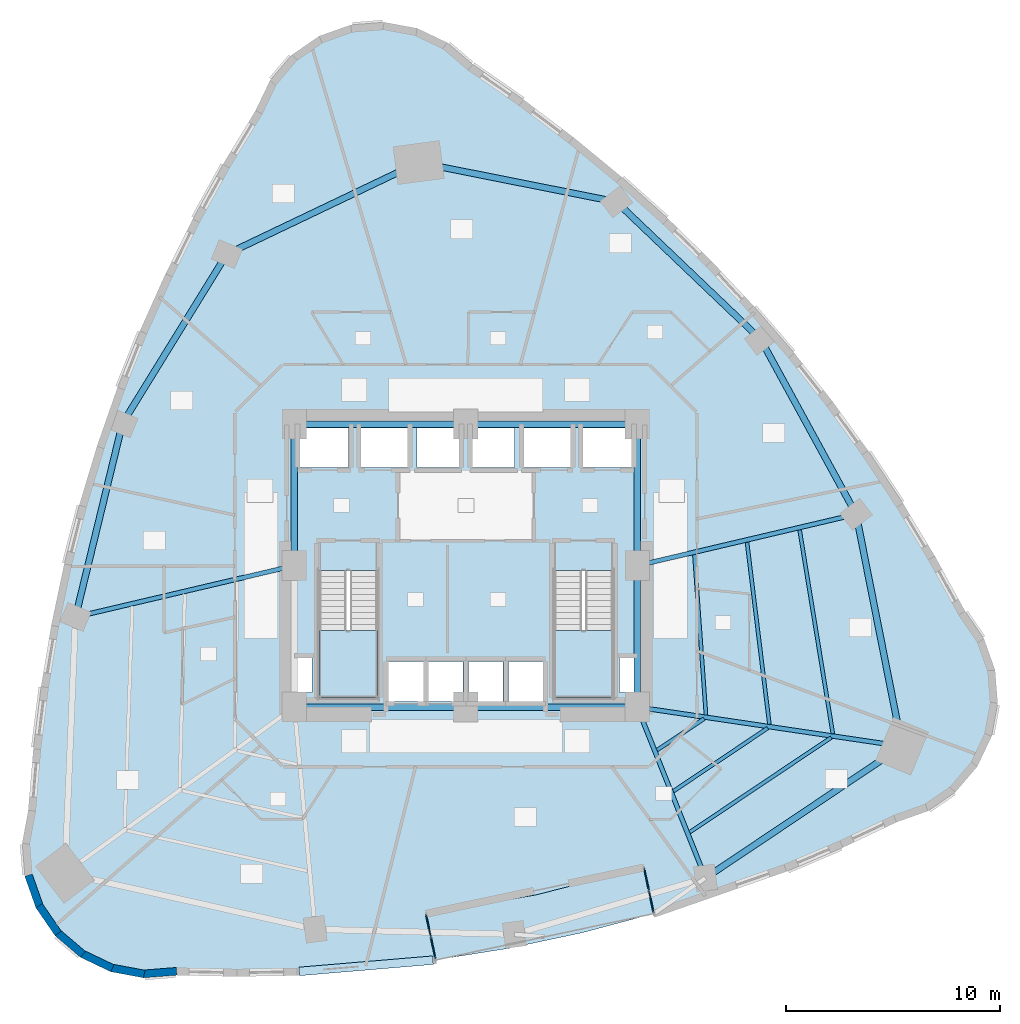
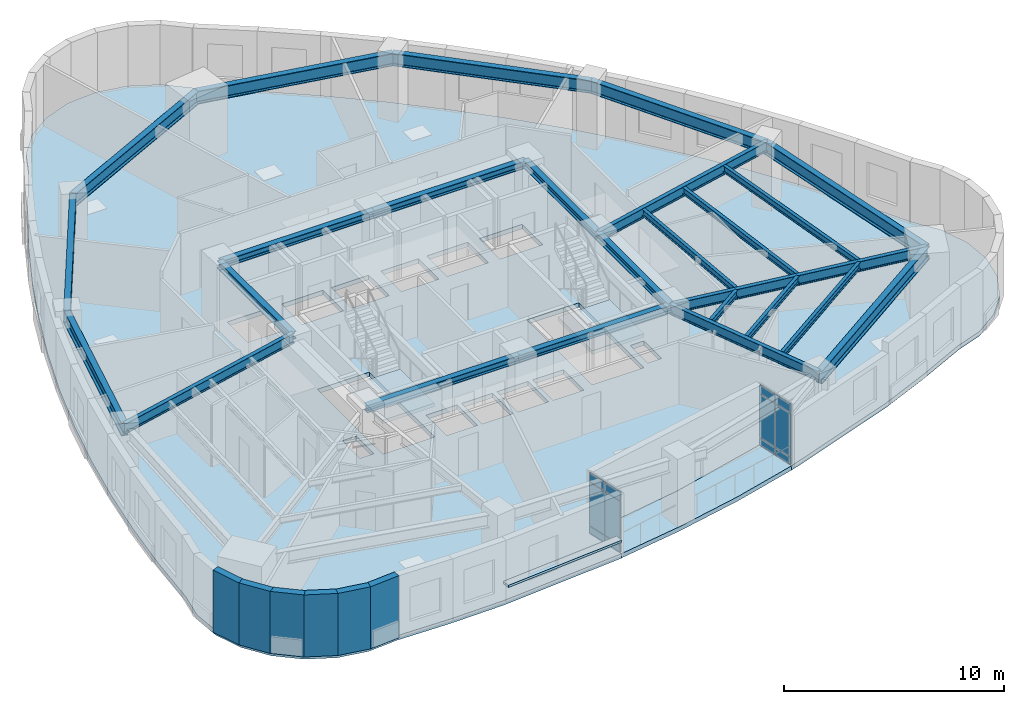
# One storey, part 4 of 12: 25 beams, 13 plates, 6 walls, 4 slabs, 4 elements without a shape of their own.
"""IFC4 building model written with IfcOpenShell, lengths in metres."""

import ifcopenshell
import ifcopenshell.guid

model = None  # the IFC model being written
_history = None  # IfcOwnerHistory: only IFC2X3 demands one
_inside = {}  # id of a spatial element -> (the spatial element, [elements in it])
_under = {}  # id of a project, library or spatial element -> (it, [spatial elements below it])
_declared = {}  # id of a project -> (the project, [libraries it declares])
_typed = {}  # id of a type object -> (the type object, [elements of that type])
_made_of = {}  # id of a material, layer set ... -> (it, [elements and type objects made of it])


def new_model(schema):
    """Start an empty IFC model of exactly this schema.

    Asked for "IFC4X3", IfcOpenShell would pick the latest addendum, in which some entities
    have other attributes; the version numbers below select the first issue.
    IFC2X3 requires an IfcOwnerHistory on every rooted entity: one is made here for all.
    """
    global model, _history
    if schema == "IFC4X3":
        model = ifcopenshell.file(schema_version=(4, 3, 0, 0))
    else:
        model = ifcopenshell.file(schema=schema)
    _inside.clear()
    _under.clear()
    _declared.clear()
    _typed.clear()
    _made_of.clear()
    _history = None
    if model.schema == "IFC2X3":
        org = make("IfcOrganization", Name="unknown")
        user = make(
            "IfcPersonAndOrganization",
            ThePerson=make("IfcPerson", FamilyName="unknown"),
            TheOrganization=org,
        )
        app = make(
            "IfcApplication",
            ApplicationDeveloper=org,
            Version="unknown",
            ApplicationFullName="unknown",
            ApplicationIdentifier="unknown",
        )
        _history = make(
            "IfcOwnerHistory",
            OwningUser=user,
            OwningApplication=app,
            ChangeAction="ADDED",
            CreationDate=0,
        )
    return model


def make(cls, **values):
    """One entity of the class cls with the attributes given. An attribute that is None is left unset."""
    return model.create_entity(
        cls, **{name: value for name, value in values.items() if value is not None}
    )


def rooted(cls, **values):
    """An entity with a GlobalId (a new one), such as an element, a storey or a relation."""
    return make(cls, GlobalId=ifcopenshell.guid.new(), OwnerHistory=_history, **values)


def si_unit(unit_type, name, prefix=None):
    """IfcSIUnit, for example si_unit("LENGTHUNIT", "METRE", prefix="MILLI")."""
    return make("IfcSIUnit", UnitType=unit_type, Prefix=prefix, Name=name)


def assignment(units):
    """IfcUnitAssignment: the units of a project."""
    return None if units is None else make("IfcUnitAssignment", Units=units)


def point(xyz):
    """IfcCartesianPoint."""
    return None if xyz is None else make("IfcCartesianPoint", Coordinates=xyz)


def direction(xyz):
    """IfcDirection."""
    return None if xyz is None else make("IfcDirection", DirectionRatios=xyz)


def frame(location, z_axis=None, x_axis=None):
    """IfcAxis2Placement3D, a coordinate frame: its origin and axes. An axis left out is left unset."""
    return make(
        "IfcAxis2Placement3D",
        Location=point(location),
        Axis=direction(z_axis),
        RefDirection=direction(x_axis),
    )


def frame_2d(location, x_axis=None):
    """IfcAxis2Placement2D, a coordinate frame in the plane: its origin and x axis."""
    return make(
        "IfcAxis2Placement2D", Location=point(location), RefDirection=direction(x_axis)
    )


def origin():
    """The frame at (0, 0, 0) with its axes left unset."""
    return frame((0.0, 0.0, 0.0))


def origin_2d():
    """The frame at (0, 0) in the plane with its x axis left unset."""
    return frame_2d((0.0, 0.0))


def place(relative_to, where):
    """IfcLocalPlacement: puts the frame where relative to a parent placement (None: the world)."""
    return make(
        "IfcLocalPlacement", PlacementRelTo=relative_to, RelativePlacement=where
    )


def context(
    kind, dimensions, precision=None, world=None, true_north=None, identifier=None
):
    """IfcGeometricRepresentationContext, for example the 3D "Model" context."""
    return make(
        "IfcGeometricRepresentationContext",
        ContextIdentifier=identifier,
        ContextType=kind,
        CoordinateSpaceDimension=dimensions,
        Precision=precision,
        WorldCoordinateSystem=world,
        TrueNorth=true_north,
    )


def subcontext(parent, identifier, kind, view, scale=None):
    """IfcGeometricRepresentationSubContext, for example "Body" below "Model"."""
    return make(
        "IfcGeometricRepresentationSubContext",
        ContextIdentifier=identifier,
        ContextType=kind,
        ParentContext=parent,
        TargetScale=scale,
        TargetView=view,
    )


def project(units=None, contexts=None):
    """IfcProject with its units and contexts."""
    return rooted(
        "IfcProject",
        Name="project",
        RepresentationContexts=contexts,
        UnitsInContext=assignment(units),
    )


def spatial(cls, under=None, at=None, **own):
    """A site, building, storey or space (cls), placed at a placement, below another one or the project."""
    s = rooted(cls, ObjectPlacement=at, **own)
    if under is not None:
        _under.setdefault(under.id(), (under, []))[1].append(s)
    return s


def polyline(points):
    """IfcPolyline through the points."""
    return make("IfcPolyline", Points=[point(p) for p in points])


def profile(cls, at=None, kind="AREA", **sizes):
    """A parametric profile (cls). Its sizes go by their IFC names, for example OverallWidth=200.0."""
    return make(cls, ProfileType=kind, Position=at, **sizes)


def rectangle(**sizes):
    """IfcRectangleProfileDef."""
    return profile("IfcRectangleProfileDef", **sizes)


def i_section(**sizes):
    """IfcIShapeProfileDef."""
    return profile("IfcIShapeProfileDef", **sizes)


def outline(outer, holes=None, kind="AREA"):
    """IfcArbitraryClosedProfileDef: a profile drawn as a closed curve; with holes, ...WithVoids."""
    if holes is None:
        return make("IfcArbitraryClosedProfileDef", ProfileType=kind, OuterCurve=outer)
    return make(
        "IfcArbitraryProfileDefWithVoids",
        ProfileType=kind,
        OuterCurve=outer,
        InnerCurves=holes,
    )


def extrude(swept, where, along, depth):
    """IfcExtrudedAreaSolid: the profile swept, set in the frame where, extruded along a direction by depth."""
    return make(
        "IfcExtrudedAreaSolid",
        SweptArea=swept,
        Position=where,
        ExtrudedDirection=direction(along),
        Depth=depth,
    )


def shape(context_of_items, identifier, shape_type, items):
    """IfcShapeRepresentation: the items that make up one representation, for example the "Body"."""
    return make(
        "IfcShapeRepresentation",
        ContextOfItems=context_of_items,
        RepresentationIdentifier=identifier,
        RepresentationType=shape_type,
        Items=items,
    )


def material(Name=None, Category=None):
    """IfcMaterial."""
    return make("IfcMaterial", Name=Name, Category=Category)


def layer(
    of_material, thickness, ventilated=None, Name=None, Category=None, Priority=None
):
    """IfcMaterialLayer: one layer of a wall or slab, of a material (None: an air gap)."""
    return make(
        "IfcMaterialLayer",
        Material=of_material,
        LayerThickness=thickness,
        IsVentilated=ventilated,
        Name=Name,
        Category=Category,
        Priority=Priority,
    )


def layer_set(layers, Name=None):
    """IfcMaterialLayerSet."""
    return make("IfcMaterialLayerSet", MaterialLayers=layers, LayerSetName=Name)


def material_profile(
    of_material, cross_section, Name=None, Category=None, Priority=None
):
    """IfcMaterialProfile: a cross section and its material."""
    return make(
        "IfcMaterialProfile",
        Name=Name,
        Material=of_material,
        Profile=cross_section,
        Priority=Priority,
        Category=Category,
    )


def profile_set(profiles, Name=None, composite=None):
    """IfcMaterialProfileSet."""
    return make(
        "IfcMaterialProfileSet",
        Name=Name,
        MaterialProfiles=profiles,
        CompositeProfile=composite,
    )


def made_of(thing, what):
    """Note that an element or type object is made of a material, layer set ...; save() writes the relation."""
    if what is not None:
        _made_of.setdefault(what.id(), (what, []))[1].append(thing)
    return thing


def type_object(cls, material=None, **own):
    """A type object (cls), such as IfcWallType, which elements share."""
    return made_of(rooted(cls, **own), material)


def element(
    cls,
    number,
    at=None,
    inside=None,
    cuts=None,
    type_object=None,
    material=None,
    context=None,
    identifier="Body",
    shape_type=None,
    held_by="IfcProductDefinitionShape",
    body=None,
    shapes=None,
    **own,
):
    """One element of the class cls, such as IfcWall. Its Tag is "e" and its number.

    at: its placement. inside: the storey or other place that contains it. cuts: it is an
    opening in that element (IfcRelVoidsElement). A single representation is given by context,
    identifier, shape_type and body (its items); several are given by shapes. held_by: the class
    of the entity that holds the representations. save() writes the other relations.
    """
    e = rooted(cls, Tag="e%d" % number, ObjectPlacement=at, **own)
    if body is not None:
        shapes = [shape(context, identifier, shape_type, body)]
    if shapes is not None:
        e.Representation = make(held_by, Representations=shapes)
    if inside is not None:
        _inside.setdefault(inside.id(), (inside, []))[1].append(e)
    if cuts is not None:
        rooted(
            "IfcRelVoidsElement", RelatingBuildingElement=cuts, RelatedOpeningElement=e
        )
    if type_object is not None:
        _typed.setdefault(type_object.id(), (type_object, []))[1].append(e)
    return made_of(e, material)


def aggregate(whole, parts):
    """IfcRelAggregates: a whole, such as a stair, and the parts it consists of."""
    return rooted("IfcRelAggregates", RelatingObject=whole, RelatedObjects=parts)


def save(model, path):
    """Write the relations noted so far, then the file.

    IfcRelAggregates (storeys below a building ...), IfcRelContainedInSpatialStructure (elements
    in a storey), IfcRelDefinesByType, IfcRelAssociatesMaterial and IfcRelDeclares: one each for
    every whole, place, type object, material and project.
    """
    for whole, parts in _under.values():
        aggregate(whole, parts)
    for where, things in _inside.values():
        rooted(
            "IfcRelContainedInSpatialStructure",
            RelatedElements=things,
            RelatingStructure=where,
        )
    for kind, things in _typed.values():
        rooted("IfcRelDefinesByType", RelatedObjects=things, RelatingType=kind)
    for what, things in _made_of.values():
        rooted("IfcRelAssociatesMaterial", RelatedObjects=things, RelatingMaterial=what)
    for by, libraries in _declared.values():
        rooted("IfcRelDeclares", RelatingContext=by, RelatedDefinitions=libraries)
    model.write(path)


model = new_model("IFC4")

# Units and contexts
model_context = context("Model", 3, precision=1e-05, world=origin(), true_north=direction((0.0, 1.0)))
body_context = subcontext(model_context, "Body", "Model", "MODEL_VIEW")
ifc_project = project(units=[si_unit("LENGTHUNIT", "METRE"), si_unit("AREAUNIT", "SQUARE_METRE"), si_unit("VOLUMEUNIT", "CUBIC_METRE"), si_unit("PLANEANGLEUNIT", "RADIAN"), si_unit("MASSUNIT", "GRAM", prefix="KILO")], contexts=[model_context])

# Site, building, storey
site_placement = place(None, origin())
site = spatial("IfcSite", under=ifc_project, at=site_placement, CompositionType="ELEMENT")
building_placement = place(site_placement, origin())
building = spatial("IfcBuilding", under=site, at=building_placement, Name="Ndelora Gate Hotel", CompositionType="ELEMENT")
storey_placement = place(building_placement, frame((0.0, 0.0, 79.25)))
storey = spatial("IfcBuildingStorey", under=building, at=storey_placement, Name="L19", CompositionType="ELEMENT", Elevation=79.25)

# Beams
ifc_material_1 = material(Name="Steel S355", Category="steel")
ifc_material_profile_1 = material_profile(ifc_material_1, i_section(OverallWidth=0.300048828125, OverallDepth=0.39990234375, WebThickness=0.013427734375, FlangeThickness=0.02392578125, FilletRadius=0.027099609375, at=origin_2d()), Name="HEB 400")
ifc_profile_set_1 = profile_set([ifc_material_profile_1], Name="Steel S355")
beam_type_1 = type_object("IfcBeamType", Name="BM-CORE-400", PredefinedType="BEAM", material=ifc_profile_set_1)
for number, where, z_axis, x_axis, name in (
    (1, (-8.0, 6.60009765625, 3.239990234375), (1.0, 0.0, 0.0), (0.0, 1.0, 0.0), "L19 Core Tie Girder CC7-CC6"),
    (2, (0.0, 6.60009765625, 3.239990234375), (1.0, 0.0, 0.0), (0.0, 1.0, 0.0), "L19 Core Tie Girder CC6-CC5"),
):
    element("IfcBeam", number, at=place(storey_placement, frame(where, z_axis=z_axis, x_axis=x_axis)), inside=storey, type_object=beam_type_1, Name=name, PredefinedType="BEAM", context=body_context, shape_type="SweptSolid", body=[
        extrude(i_section(OverallWidth=0.300048828125, OverallDepth=0.39990234375, WebThickness=0.013427734375, FlangeThickness=0.02392578125, FilletRadius=0.027099609375, at=origin_2d()), origin(), (0.0, 0.0, 1.0), 8.0),
    ])
for number, where, z_axis, x_axis, name in (
    (3, (-8.0, 0.0, 3.239990234375), (0.0, 1.0, 0.0), (-1.0, 0.0, 0.0), "L19 Core Tie Girder CC8-CC7"),
    (4, (8.0, -6.60009765625, 3.239990234375), (0.0, 1.0, 0.0), (-1.0, 0.0, 0.0), "L19 Core Tie Girder CC3-CC4"),
    (5, (8.0, 0.0, 3.239990234375), (0.0, 1.0, 0.0), (-1.0, 0.0, 0.0), "L19 Core Tie Girder CC4-CC5"),
):
    element("IfcBeam", number, at=place(storey_placement, frame(where, z_axis=z_axis, x_axis=x_axis)), inside=storey, type_object=beam_type_1, Name=name, PredefinedType="BEAM", context=body_context, shape_type="SweptSolid", body=[
        extrude(i_section(OverallWidth=0.300048828125, OverallDepth=0.39990234375, WebThickness=0.013427734375, FlangeThickness=0.02392578125, FilletRadius=0.027099609375, at=origin_2d()), origin(), (0.0, 0.0, 1.0), 6.60009765625),
    ])
for number, where, z_axis, x_axis, name in (
    (6, (-8.0, -6.60009765625, 3.239990234375), (1.0, 0.0, 0.0), (0.0, 1.0, 0.0), "L19 Core Tie Girder CC1-CC2"),
    (7, (0.0, -6.60009765625, 3.239990234375), (1.0, 0.0, 0.0), (0.0, 1.0, 0.0), "L19 Core Tie Girder CC2-CC3"),
):
    element("IfcBeam", number, at=place(storey_placement, frame(where, z_axis=z_axis, x_axis=x_axis)), inside=storey, type_object=beam_type_1, Name=name, PredefinedType="BEAM", context=body_context, shape_type="SweptSolid", body=[
        extrude(i_section(OverallWidth=0.300048828125, OverallDepth=0.39990234375, WebThickness=0.013427734375, FlangeThickness=0.02392578125, FilletRadius=0.027099609375, at=origin_2d()), origin(), (0.0, 0.0, 1.0), 8.0),
    ])
ifc_material_profile_2 = material_profile(ifc_material_1, i_section(OverallWidth=0.169921875, OverallDepth=0.360107421875, WebThickness=0.008056640625, FlangeThickness=0.0126953125, FilletRadius=0.01806640625, at=origin_2d()), Name="IPE 360")
ifc_profile_set_2 = profile_set([ifc_material_profile_2], Name="Steel S355")
beam_type_2 = type_object("IfcBeamType", Name="BM-JST-360", PredefinedType="JOIST", material=ifc_profile_set_2)
beam_1_placement = place(storey_placement, frame((8.922119140625, -8.608154296875, 3.260009765625), z_axis=(0.830952990267, 0.556342635402, 0.0), x_axis=(-0.556342635402, 0.830952990267, 0.0)))
element("IfcBeam", 8, at=beam_1_placement, inside=storey, type_object=beam_type_2, Name="L19 Secondary Composite Floor Joist IN-8", PredefinedType="JOIST", context=body_context, shape_type="SweptSolid", body=[
    extrude(i_section(OverallWidth=0.169921875, OverallDepth=0.360107421875, WebThickness=0.008056640625, FlangeThickness=0.0126953125, FilletRadius=0.01806640625, at=origin_2d()), origin(), (0.0, 0.0, 1.0), 2.6396484375),
])
beam_2_placement = place(storey_placement, frame((9.685302734375, -10.520751953125, 3.260009765625), z_axis=(0.83093347578, 0.556371781121, 0.0), x_axis=(-0.556371781121, 0.83093347578, 0.0)))
element("IfcBeam", 9, at=beam_2_placement, inside=storey, type_object=beam_type_2, Name="L19 Secondary Composite Floor Joist MID-8", PredefinedType="JOIST", context=body_context, shape_type="SweptSolid", body=[
    extrude(i_section(OverallWidth=0.169921875, OverallDepth=0.360107421875, WebThickness=0.008056640625, FlangeThickness=0.0126953125, FilletRadius=0.01806640625, at=origin_2d()), origin(), (0.0, 0.0, 1.0), 5.2880859375),
])
beam_3_placement = place(storey_placement, frame((10.448486328125, -12.433349609375, 3.260009765625), z_axis=(0.830936507521, 0.556367253231, 0.0), x_axis=(-0.556367253231, 0.830936507521, 0.0)))
element("IfcBeam", 10, at=beam_3_placement, inside=storey, type_object=beam_type_2, Name="L19 Secondary Composite Floor Joist OUT-8", PredefinedType="JOIST", context=body_context, shape_type="SweptSolid", body=[
    extrude(i_section(OverallWidth=0.169921875, OverallDepth=0.360107421875, WebThickness=0.008056640625, FlangeThickness=0.0126953125, FilletRadius=0.01806640625, at=origin_2d()), origin(), (0.0, 0.0, 1.0), 7.936767578125),
])
beam_4_placement = place(storey_placement, frame((11.20263671875, -6.9609375, 3.260009765625), z_axis=(-0.072176031603, 0.997391909162, 0.0), x_axis=(-0.997391909162, -0.072176031603, 0.0)))
element("IfcBeam", 11, at=beam_4_placement, inside=storey, type_object=beam_type_2, Name="L19 Secondary Composite Floor Joist IN-9", PredefinedType="JOIST", context=body_context, shape_type="SweptSolid", body=[
    extrude(i_section(OverallWidth=0.169921875, OverallDepth=0.360107421875, WebThickness=0.008056640625, FlangeThickness=0.0126953125, FilletRadius=0.01806640625, at=origin_2d()), origin(), (0.0, 0.0, 1.0), 7.489013671875),
])
beam_5_placement = place(storey_placement, frame((14.160888671875, -7.400390625, 3.260009765625), z_axis=(-0.122030984704, 0.992526291225, 0.0), x_axis=(-0.992526291225, -0.122030984704, 0.0)))
element("IfcBeam", 12, at=beam_5_placement, inside=storey, type_object=beam_type_2, Name="L19 Secondary Composite Floor Joist MID-9", PredefinedType="JOIST", context=body_context, shape_type="SweptSolid", body=[
    extrude(i_section(OverallWidth=0.169921875, OverallDepth=0.360107421875, WebThickness=0.008056640625, FlangeThickness=0.0126953125, FilletRadius=0.01806640625, at=origin_2d()), origin(), (0.0, 0.0, 1.0), 8.548828125),
])
beam_6_placement = place(storey_placement, frame((17.12060546875, -7.840087890625, 3.260009765625), z_axis=(-0.160901992796, 0.986970388975, 0.0), x_axis=(-0.986970388975, -0.160901992796, 0.0)))
element("IfcBeam", 13, at=beam_6_placement, inside=storey, type_object=beam_type_2, Name="L19 Secondary Composite Floor Joist OUT-9", PredefinedType="JOIST", context=body_context, shape_type="SweptSolid", body=[
    extrude(i_section(OverallWidth=0.169921875, OverallDepth=0.360107421875, WebThickness=0.008056640625, FlangeThickness=0.0126953125, FilletRadius=0.01806640625, at=origin_2d()), origin(), (0.0, 0.0, 1.0), 9.6259765625),
])
ifc_material_profile_3 = material_profile(ifc_material_1, i_section(OverallWidth=0.2099609375, OverallDepth=0.550048828125, WebThickness=0.010986328125, FlangeThickness=0.01708984375, FilletRadius=0.02392578125, at=origin_2d()), Name="IPE 550")
ifc_profile_set_3 = profile_set([ifc_material_profile_3], Name="Steel S355")
beam_type_3 = type_object("IfcBeamType", Name="BM-RAD-550", PredefinedType="BEAM", material=ifc_profile_set_3)
beam_7_placement = place(storey_placement, frame((-8.0, 0.0, 3.1650390625), z_axis=(-0.973517848051, -0.22861102232, 0.0), x_axis=(0.22861102232, -0.973517848051, 0.0)))
element("IfcBeam", 14, at=beam_7_placement, inside=storey, type_object=beam_type_3, Name="L19 Radial Floor Girder 4", PredefinedType="BEAM", context=body_context, shape_type="SweptSolid", body=[
    extrude(i_section(OverallWidth=0.2099609375, OverallDepth=0.550048828125, WebThickness=0.010986328125, FlangeThickness=0.01708984375, FilletRadius=0.02392578125, at=origin_2d()), origin(), (0.0, 0.0, 1.0), 10.48486328125),
])
beam_8_placement = place(storey_placement, frame((8.0, -6.60009765625, 3.1650390625), z_axis=(0.37056142644, -0.92880796144, 0.0), x_axis=(0.92880796144, 0.37056142644, 0.0)))
element("IfcBeam", 15, at=beam_8_placement, inside=storey, type_object=beam_type_3, Name="L19 Radial Floor Girder 8", PredefinedType="BEAM", context=body_context, shape_type="SweptSolid", body=[
    extrude(i_section(OverallWidth=0.2099609375, OverallDepth=0.550048828125, WebThickness=0.010986328125, FlangeThickness=0.01708984375, FilletRadius=0.02392578125, at=origin_2d()), origin(), (0.0, 0.0, 1.0), 8.580078125),
])
beam_9_placement = place(storey_placement, frame((8.0, -6.60009765625, 3.1650390625), z_axis=(0.989209761041, -0.146506138649, 0.0), x_axis=(0.146506138649, 0.989209761041, 0.0)))
element("IfcBeam", 16, at=beam_9_placement, inside=storey, type_object=beam_type_3, Name="L19 Radial Floor Girder 9", PredefinedType="BEAM", context=body_context, shape_type="SweptSolid", body=[
    extrude(i_section(OverallWidth=0.2099609375, OverallDepth=0.550048828125, WebThickness=0.010986328125, FlangeThickness=0.01708984375, FilletRadius=0.02392578125, at=origin_2d()), origin(), (0.0, 0.0, 1.0), 12.48486328125),
])
beam_10_placement = place(storey_placement, frame((8.0, 0.0, 3.1650390625), z_axis=(0.973517848051, 0.22861102232, 0.0), x_axis=(-0.22861102232, 0.973517848051, 0.0)))
element("IfcBeam", 17, at=beam_10_placement, inside=storey, type_object=beam_type_3, Name="L19 Radial Floor Girder 10", PredefinedType="BEAM", context=body_context, shape_type="SweptSolid", body=[
    extrude(i_section(OverallWidth=0.2099609375, OverallDepth=0.550048828125, WebThickness=0.010986328125, FlangeThickness=0.01708984375, FilletRadius=0.02392578125, at=origin_2d()), origin(), (0.0, 0.0, 1.0), 10.48486328125),
])
ifc_material_profile_4 = material_profile(ifc_material_1, i_section(OverallWidth=0.300048828125, OverallDepth=0.699951171875, WebThickness=0.01708984375, FlangeThickness=0.031982421875, FilletRadius=0.027099609375, at=origin_2d()), Name="HEB 700")
ifc_profile_set_4 = profile_set([ifc_material_profile_4], Name="Steel S355")
beam_type_4 = type_object("IfcBeamType", Name="BM-RING-700", PredefinedType="SPANDREL", material=ifc_profile_set_4)
beam_11_placement = place(storey_placement, frame((-2.199951171875, 18.800048828125, 3.090087890625), z_axis=(-0.902476034566, -0.43074006899, 0.0), x_axis=(0.43074006899, -0.902476034566, 0.0)))
element("IfcBeam", 18, at=beam_11_placement, inside=storey, type_object=beam_type_4, Name="L19 Perimeter Spandrel Girder 1", PredefinedType="SPANDREL", context=body_context, shape_type="SweptSolid", body=[
    extrude(i_section(OverallWidth=0.300048828125, OverallDepth=0.699951171875, WebThickness=0.01708984375, FlangeThickness=0.031982421875, FilletRadius=0.027099609375, at=origin_2d()), origin(), (0.0, 0.0, 1.0), 9.91552734375),
])
beam_12_placement = place(storey_placement, frame((-11.1484375, 14.529052734375, 3.090087890625), z_axis=(-0.524897602516, -0.851165381623, 0.0), x_axis=(0.851165381623, -0.524897602516, 0.0)))
element("IfcBeam", 19, at=beam_12_placement, inside=storey, type_object=beam_type_4, Name="L19 Perimeter Spandrel Girder 2", PredefinedType="SPANDREL", context=body_context, shape_type="SweptSolid", body=[
    extrude(i_section(OverallWidth=0.300048828125, OverallDepth=0.699951171875, WebThickness=0.01708984375, FlangeThickness=0.031982421875, FilletRadius=0.027099609375, at=origin_2d()), origin(), (0.0, 0.0, 1.0), 9.27490234375),
])
beam_13_placement = place(storey_placement, frame((-16.016845703125, 6.634521484375, 3.090087890625), z_axis=(-0.235699273714, -0.971826040179, 0.0), x_axis=(0.971826040179, -0.235699273714, 0.0)))
element("IfcBeam", 20, at=beam_13_placement, inside=storey, type_object=beam_type_4, Name="L19 Perimeter Spandrel Girder 3", PredefinedType="SPANDREL", context=body_context, shape_type="SweptSolid", body=[
    extrude(i_section(OverallWidth=0.300048828125, OverallDepth=0.699951171875, WebThickness=0.01708984375, FlangeThickness=0.031982421875, FilletRadius=0.027099609375, at=origin_2d()), origin(), (0.0, 0.0, 1.0), 9.293212890625),
])
beam_14_placement = place(storey_placement, frame((11.179443359375, -14.5693359375, 3.090087890625), z_axis=(0.830945983886, 0.556353099985, 0.0), x_axis=(-0.556353099985, 0.830945983886, 0.0)))
element("IfcBeam", 21, at=beam_14_placement, inside=storey, type_object=beam_type_4, Name="L19 Perimeter Spandrel Girder 8", PredefinedType="SPANDREL", context=body_context, shape_type="SweptSolid", body=[
    extrude(i_section(OverallWidth=0.300048828125, OverallDepth=0.699951171875, WebThickness=0.01708984375, FlangeThickness=0.031982421875, FilletRadius=0.027099609375, at=origin_2d()), origin(), (0.0, 0.0, 1.0), 11.036376953125),
])
beam_15_placement = place(storey_placement, frame((20.35009765625, -8.42919921875, 3.090087890625), z_axis=(-0.194163071691, 0.980969266385, 0.0), x_axis=(-0.980969266385, -0.194163071691, 0.0)))
element("IfcBeam", 22, at=beam_15_placement, inside=storey, type_object=beam_type_4, Name="L19 Perimeter Spandrel Girder 9", PredefinedType="SPANDREL", context=body_context, shape_type="SweptSolid", body=[
    extrude(i_section(OverallWidth=0.300048828125, OverallDepth=0.699951171875, WebThickness=0.01708984375, FlangeThickness=0.031982421875, FilletRadius=0.027099609375, at=origin_2d()), origin(), (0.0, 0.0, 1.0), 11.0361328125),
])
for number, where, z_axis, x_axis, name in (
    (23, (18.207275390625, 2.39697265625, 3.090087890625), (-0.479203651005, 0.87770374322, 0.0), (-0.87770374322, -0.479203651005, 0.0), "L19 Perimeter Spandrel Girder 10"),
    (24, (13.75390625, 10.5537109375, 3.090087890625), (-0.723784227769, 0.690026370244, 0.0), (-0.690026370244, -0.723784227769, 0.0), "L19 Perimeter Spandrel Girder 11"),
):
    element("IfcBeam", number, at=place(storey_placement, frame(where, z_axis=z_axis, x_axis=x_axis)), inside=storey, type_object=beam_type_4, Name=name, PredefinedType="SPANDREL", context=body_context, shape_type="SweptSolid", body=[
        extrude(i_section(OverallWidth=0.300048828125, OverallDepth=0.699951171875, WebThickness=0.01708984375, FlangeThickness=0.031982421875, FilletRadius=0.027099609375, at=origin_2d()), origin(), (0.0, 0.0, 1.0), 9.293212890625),
    ])
beam_16_placement = place(storey_placement, frame((7.027587890625, 16.96630859375, 3.090087890625), z_axis=(-0.980820478164, 0.194913287424, 0.0), x_axis=(-0.194913287424, -0.980820478164, 0.0)))
element("IfcBeam", 25, at=beam_16_placement, inside=storey, type_object=beam_type_4, Name="L19 Perimeter Spandrel Girder 12", PredefinedType="SPANDREL", context=body_context, shape_type="SweptSolid", body=[
    extrude(i_section(OverallWidth=0.300048828125, OverallDepth=0.699951171875, WebThickness=0.01708984375, FlangeThickness=0.031982421875, FilletRadius=0.027099609375, at=origin_2d()), origin(), (0.0, 0.0, 1.0), 9.407958984375),
])

# Curtain wall, plates
ifc_material_2 = material(Name="Bronze Anodised Unitised Aluminium and Low-E Glass", Category="aluminium")
ifc_layer_1 = layer(ifc_material_2, 0.199951171875)
ifc_layer_set_1 = layer_set([ifc_layer_1], Name="Bronze Anodised Unitised Aluminium and Low-E Glass")
curtain_wall_type = type_object("IfcCurtainWallType", Name="CW-SYS-3", PredefinedType="NOTDEFINED", material=ifc_layer_set_1)
curtain_wall_1_placement = place(storey_placement, origin())
curtain_wall_1 = element("IfcCurtainWall", 26, at=curtain_wall_1_placement, inside=storey, type_object=curtain_wall_type, Name="L19 Sky-Garden Loggia Side Curtain Wall CW3-1", PredefinedType="NOTDEFINED")
ifc_material_3 = material(Name="Solar-Control Low-E Insulated Glazing", Category="glass")
ifc_layer_2 = layer(ifc_material_3, 0.048095703125)
ifc_layer_set_2 = layer_set([ifc_layer_2], Name="Solar-Control Low-E Insulated Glazing")
plate_type_1 = type_object("IfcPlateType", Name="PL-CW-GLZ36", PredefinedType="CURTAIN_PANEL", material=ifc_layer_set_2)
plate_1_placement = place(storey_placement, frame((-1.74560546875, -16.798095703125, 0.05908203125), z_axis=(0.0, 0.0, 1.0), x_axis=(0.207911488567, -0.978147643724, 0.0)))
plate_1 = element("IfcPlate", 27, at=plate_1_placement, type_object=plate_type_1, Name="CW3 panel 1.1", PredefinedType="CURTAIN_PANEL", context=body_context, shape_type="SweptSolid", body=[
    extrude(rectangle(XDim=1.014404296875, YDim=0.048095703125, at=origin_2d()), origin(), (0.0, 0.0, 1.0), 0.364501953125),
])
plate_2_placement = place(storey_placement, frame((-1.74560546875, -16.798095703125, 0.4765625), z_axis=(0.0, 0.0, 1.0), x_axis=(0.207911488567, -0.978147643724, 0.0)))
plate_2 = element("IfcPlate", 28, at=plate_2_placement, type_object=plate_type_1, Name="CW3 panel 1.2", PredefinedType="CURTAIN_PANEL", context=body_context, shape_type="SweptSolid", body=[
    extrude(rectangle(XDim=1.014404296875, YDim=0.048095703125, at=origin_2d()), origin(), (0.0, 0.0, 1.0), 2.386962890625),
])
plate_3_placement = place(storey_placement, frame((-1.74560546875, -16.798095703125, 2.91650390625), z_axis=(0.0, 0.0, 1.0), x_axis=(0.207911488567, -0.978147643724, 0.0)))
plate_3 = element("IfcPlate", 29, at=plate_3_placement, type_object=plate_type_1, Name="CW3 panel 1.3", PredefinedType="CURTAIN_PANEL", context=body_context, shape_type="SweptSolid", body=[
    extrude(rectangle(XDim=1.014404296875, YDim=0.048095703125, at=origin_2d()), origin(), (0.0, 0.0, 1.0), 0.464599609375),
])
plate_4_placement = place(storey_placement, frame((-1.523681640625, -17.84228515625, 0.05908203125), z_axis=(0.0, 0.0, 1.0), x_axis=(0.207911488567, -0.978147643724, 0.0)))
plate_4 = element("IfcPlate", 30, at=plate_4_placement, type_object=plate_type_1, Name="CW3 panel 2.1", PredefinedType="CURTAIN_PANEL", context=body_context, shape_type="SweptSolid", body=[
    extrude(rectangle(XDim=1.014404296875, YDim=0.048095703125, at=origin_2d()), origin(), (0.0, 0.0, 1.0), 0.364501953125),
])
plate_5_placement = place(storey_placement, frame((-1.523681640625, -17.84228515625, 0.4765625), z_axis=(0.0, 0.0, 1.0), x_axis=(0.207911488567, -0.978147643724, 0.0)))
plate_5 = element("IfcPlate", 31, at=plate_5_placement, type_object=plate_type_1, Name="CW3 panel 2.2", PredefinedType="CURTAIN_PANEL", context=body_context, shape_type="SweptSolid", body=[
    extrude(rectangle(XDim=1.014404296875, YDim=0.048095703125, at=origin_2d()), origin(), (0.0, 0.0, 1.0), 2.386962890625),
])
plate_6_placement = place(storey_placement, frame((-1.523681640625, -17.84228515625, 2.91650390625), z_axis=(0.0, 0.0, 1.0), x_axis=(0.207911488567, -0.978147643724, 0.0)))
plate_6 = element("IfcPlate", 32, at=plate_6_placement, type_object=plate_type_1, Name="CW3 panel 2.3", PredefinedType="CURTAIN_PANEL", context=body_context, shape_type="SweptSolid", body=[
    extrude(rectangle(XDim=1.014404296875, YDim=0.048095703125, at=origin_2d()), origin(), (0.0, 0.0, 1.0), 0.464599609375),
])
aggregate(curtain_wall_1, [plate_1, plate_2, plate_3, plate_4, plate_5, plate_6])

curtain_wall_2_placement = place(storey_placement, origin())
curtain_wall_2 = element("IfcCurtainWall", 33, at=curtain_wall_2_placement, inside=storey, type_object=curtain_wall_type, Name="L19 Sky-Garden Loggia Side Curtain Wall CW3-2", PredefinedType="NOTDEFINED")
plate_7_placement = place(storey_placement, frame((8.649169921875, -15.679931640625, 0.05908203125), z_axis=(0.0, 0.0, 1.0), x_axis=(-0.207911488567, 0.978147643724, 0.0)))
plate_7 = element("IfcPlate", 34, at=plate_7_placement, type_object=plate_type_1, Name="CW3 panel 1.1", PredefinedType="CURTAIN_PANEL", context=body_context, shape_type="SweptSolid", body=[
    extrude(rectangle(XDim=1.014404296875, YDim=0.048095703125, at=origin_2d()), origin(), (0.0, 0.0, 1.0), 0.364501953125),
])
plate_8_placement = place(storey_placement, frame((8.649169921875, -15.679931640625, 0.4765625), z_axis=(0.0, 0.0, 1.0), x_axis=(-0.207911488567, 0.978147643724, 0.0)))
plate_8 = element("IfcPlate", 35, at=plate_8_placement, type_object=plate_type_1, Name="CW3 panel 1.2", PredefinedType="CURTAIN_PANEL", context=body_context, shape_type="SweptSolid", body=[
    extrude(rectangle(XDim=1.014404296875, YDim=0.048095703125, at=origin_2d()), origin(), (0.0, 0.0, 1.0), 2.386962890625),
])
plate_9_placement = place(storey_placement, frame((8.649169921875, -15.679931640625, 2.91650390625), z_axis=(0.0, 0.0, 1.0), x_axis=(-0.207911488567, 0.978147643724, 0.0)))
plate_9 = element("IfcPlate", 36, at=plate_9_placement, type_object=plate_type_1, Name="CW3 panel 1.3", PredefinedType="CURTAIN_PANEL", context=body_context, shape_type="SweptSolid", body=[
    extrude(rectangle(XDim=1.014404296875, YDim=0.048095703125, at=origin_2d()), origin(), (0.0, 0.0, 1.0), 0.464599609375),
])
plate_10_placement = place(storey_placement, frame((8.42724609375, -14.6357421875, 0.05908203125), z_axis=(0.0, 0.0, 1.0), x_axis=(-0.207911488567, 0.978147643724, 0.0)))
plate_10 = element("IfcPlate", 37, at=plate_10_placement, type_object=plate_type_1, Name="CW3 panel 2.1", PredefinedType="CURTAIN_PANEL", context=body_context, shape_type="SweptSolid", body=[
    extrude(rectangle(XDim=1.014404296875, YDim=0.048095703125, at=origin_2d()), origin(), (0.0, 0.0, 1.0), 0.364501953125),
])
plate_11_placement = place(storey_placement, frame((8.42724609375, -14.6357421875, 0.4765625), z_axis=(0.0, 0.0, 1.0), x_axis=(-0.207911488567, 0.978147643724, 0.0)))
plate_11 = element("IfcPlate", 38, at=plate_11_placement, type_object=plate_type_1, Name="CW3 panel 2.2", PredefinedType="CURTAIN_PANEL", context=body_context, shape_type="SweptSolid", body=[
    extrude(rectangle(XDim=1.014404296875, YDim=0.048095703125, at=origin_2d()), origin(), (0.0, 0.0, 1.0), 2.386962890625),
])
plate_12_placement = place(storey_placement, frame((8.42724609375, -14.6357421875, 2.91650390625), z_axis=(0.0, 0.0, 1.0), x_axis=(-0.207911488567, 0.978147643724, 0.0)))
plate_12 = element("IfcPlate", 39, at=plate_12_placement, type_object=plate_type_1, Name="CW3 panel 2.3", PredefinedType="CURTAIN_PANEL", context=body_context, shape_type="SweptSolid", body=[
    extrude(rectangle(XDim=1.014404296875, YDim=0.048095703125, at=origin_2d()), origin(), (0.0, 0.0, 1.0), 0.464599609375),
])
aggregate(curtain_wall_2, [plate_7, plate_8, plate_9, plate_10, plate_11, plate_12])

# Plate
ifc_material_4 = material(Name="Precast concrete C40/50", Category="concrete")
ifc_layer_3 = layer(ifc_material_4, 0.125)
ifc_layer_set_3 = layer_set([ifc_layer_3], Name="Precast concrete C40/50")
plate_type_2 = type_object("IfcPlateType", Name="PL-SILL-120", PredefinedType="USERDEFINED", material=ifc_layer_set_3)
plate_13_placement = place(storey_placement, frame((-4.652587890625, -18.66943359375, 0.78759765625), z_axis=(0.0, 0.0, 1.0), x_axis=(0.996478239533, 0.083851762871, 0.0)))
element("IfcPlate", 40, at=plate_13_placement, inside=storey, type_object=plate_type_2, Name="L19 Streamline Precast Ribbon Sill 31", ObjectType="RIBBON_SILL", PredefinedType="USERDEFINED", context=body_context, shape_type="SweptSolid", body=[
    extrude(rectangle(XDim=6.26611328125, YDim=0.39990234375, at=origin_2d()), origin(), (0.0, 0.0, 1.0), 0.125),
])

# Stair, slab
stair_type = type_object("IfcStairType", Name="STR-DOG-CORE", PredefinedType="HALF_TURN_STAIR", material=ifc_material_4)
stair_1_placement = place(storey_placement, origin())
stair_1 = element("IfcStair", 41, at=stair_1_placement, inside=storey, type_object=stair_type, Name="L19 Protected Core Exit Stair ST4", PredefinedType="HALF_TURN_STAIR")
ifc_layer_4 = layer(ifc_material_4, 0.219970703125)
ifc_layer_set_4 = layer_set([ifc_layer_4], Name="Precast concrete C40/50")
slab_type_1 = type_object("IfcSlabType", Name="SL-LAND-220", PredefinedType="LANDING", material=ifc_layer_set_4)
slab_1_placement = place(storey_placement, frame((0.0, 0.0, 1.675048828125)))
slab_1 = element("IfcSlab", 42, at=slab_1_placement, type_object=slab_type_1, Name="ST4 landing 1", PredefinedType="LANDING", context=body_context, shape_type="SweptSolid", body=[
    extrude(outline(polyline([(-6.85009765625, -3.030029296875), (-6.85009765625, -6.14990234375), (-4.1298828125, -6.14990234375), (-4.1298828125, -3.030029296875), (-6.85009765625, -3.030029296875)])), origin(), (0.0, 0.0, 1.0), 0.199951171875),
])
aggregate(stair_1, [slab_1])

stair_2_placement = place(storey_placement, origin())
stair_2 = element("IfcStair", 43, at=stair_2_placement, inside=storey, type_object=stair_type, Name="L19 Protected Core Exit Stair ST5", PredefinedType="HALF_TURN_STAIR")
slab_2_placement = place(storey_placement, frame((0.0, 0.0, 1.675048828125)))
slab_2 = element("IfcSlab", 44, at=slab_2_placement, type_object=slab_type_1, Name="ST5 landing 1", PredefinedType="LANDING", context=body_context, shape_type="SweptSolid", body=[
    extrude(outline(polyline([(4.1298828125, -3.030029296875), (4.1298828125, -6.14990234375), (6.85009765625, -6.14990234375), (6.85009765625, -3.030029296875), (4.1298828125, -3.030029296875)])), origin(), (0.0, 0.0, 1.0), 0.199951171875),
])
aggregate(stair_2, [slab_2])

# Slabs
ifc_layer_5 = layer(ifc_material_4, 0.239990234375)
ifc_layer_set_5 = layer_set([ifc_layer_5], Name="Precast concrete C40/50")
slab_type_2 = type_object("IfcSlabType", Name="SL-TER-240", PredefinedType="FLOOR", material=ifc_layer_set_5)
slab_3_placement = place(storey_placement, frame((0.0, 0.0, -0.239990234375)))
element("IfcSlab", 45, at=slab_3_placement, inside=storey, type_object=slab_type_2, Name="L19 Sky Garden Loggia Terrace Slab", PredefinedType="FLOOR", context=body_context, shape_type="SweptSolid", body=[
    extrude(outline(polyline([(-1.86328125, -16.244140625), (-1.406005859375, -18.39599609375), (1.98828125, -17.857421875), (5.447021484375, -17.122314453125), (8.766845703125, -16.23388671875), (8.309326171875, -14.081787109375), (3.264892578125, -15.36083984375), (-1.86328125, -16.244140625)])), origin(), (0.0, 0.0, 1.0), 0.239990234375),
])
ifc_material_5 = material(Name="Concrete C40/50", Category="concrete")
ifc_layer_6 = layer(ifc_material_5, 0.25)
ifc_layer_set_6 = layer_set([ifc_layer_6], Name="Concrete C40/50")
slab_type_3 = type_object("IfcSlabType", Name="SL-TWR-250", PredefinedType="FLOOR", material=ifc_layer_set_6)
slab_4_placement = place(storey_placement, frame((0.0, 0.0, -0.25)))
element("IfcSlab", 46, at=slab_4_placement, inside=storey, type_object=slab_type_3, Name="L19 Structural Floor Slab", PredefinedType="FLOOR", context=body_context, shape_type="SweptSolid", body=[
    extrude(outline(polyline([(0.19189453125, 23.256103515625), (-0.95947265625, 24.2392578125), (-2.325927734375, 24.89111328125), (-3.814697265625, 25.1669921875), (-5.32421875, 25.04833984375), (-6.75146484375, 24.542724609375), (-7.999267578125, 23.685302734375), (-8.982666015625, 22.533935546875), (-9.634521484375, 21.167236328125), (-11.1572265625, 18.656005859375), (-12.563720703125, 16.106689453125), (-13.85400390625, 13.52001953125), (-15.0283203125, 10.895263671875), (-16.0859375, 8.23291015625), (-17.027587890625, 5.53271484375), (-17.85302734375, 2.794677734375), (-18.56201171875, 0.018798828125), (-19.155029296875, -2.794677734375), (-19.631591796875, -5.64599609375), (-19.9921875, -8.534912109375), (-20.236083984375, -11.461669921875), (-20.51220703125, -12.950439453125), (-20.393310546875, -14.4599609375), (-19.887939453125, -15.88720703125), (-19.0302734375, -17.135009765625), (-17.87890625, -18.118408203125), (-16.512451171875, -18.770263671875), (-15.023681640625, -19.046142578125), (-13.51416015625, -18.92724609375), (-10.69482421875, -18.990234375), (-7.89892578125, -18.94287109375), (-1.406005859375, -18.39599609375), (-1.86328125, -16.244140625), (3.264892578125, -15.36083984375), (8.309326171875, -14.081787109375), (8.766845703125, -16.23388671875), (14.9208984375, -14.09228515625), (17.494384765625, -12.998291015625), (20.044189453125, -11.794189453125), (21.471435546875, -11.288818359375), (22.71923828125, -10.43115234375), (23.70263671875, -9.27978515625), (24.3544921875, -7.913330078125), (24.63037109375, -6.424560546875), (24.51171875, -4.9150390625), (24.006103515625, -3.48779296875), (23.148681640625, -2.239990234375), (21.735107421875, 0.33447265625), (20.230712890625, 2.8271484375), (18.635498046875, 5.238037109375), (16.94970703125, 7.567138671875), (15.1728515625, 9.814453125), (13.30517578125, 11.97998046875), (11.3466796875, 14.063720703125), (9.29736328125, 16.06591796875), (7.1572265625, 17.986083984375), (4.926513671875, 19.824462890625), (2.6044921875, 21.5810546875), (0.19189453125, 23.256103515625)]), holes=[polyline([(-6.85009765625, -0.22998046875), (-6.85009765625, -6.14990234375), (-4.1298828125, -6.14990234375), (-4.1298828125, -0.22998046875), (-6.85009765625, -0.22998046875)]), polyline([(4.1298828125, -0.22998046875), (4.1298828125, -6.14990234375), (6.85009765625, -6.14990234375), (6.85009765625, -0.22998046875), (4.1298828125, -0.22998046875)]), polyline([(-7.72998046875, 4.570068359375), (-5.469970703125, 4.570068359375), (-5.469970703125, 6.429931640625), (-7.72998046875, 6.429931640625), (-7.72998046875, 4.570068359375)]), polyline([(5.469970703125, 4.570068359375), (7.72998046875, 4.570068359375), (7.72998046875, 6.429931640625), (5.469970703125, 6.429931640625), (5.469970703125, 4.570068359375)]), polyline([(-4.8798828125, 4.570068359375), (-2.719970703125, 4.570068359375), (-2.719970703125, 6.429931640625), (-4.8798828125, 6.429931640625), (-4.8798828125, 4.570068359375)]), polyline([(2.719970703125, 4.570068359375), (4.8798828125, 4.570068359375), (4.8798828125, 6.429931640625), (2.719970703125, 6.429931640625), (2.719970703125, 4.570068359375)]), polyline([(-3.60009765625, -6.330078125), (-1.97998046875, -6.330078125), (-1.97998046875, -4.469970703125), (-3.60009765625, -4.469970703125), (-3.60009765625, -6.330078125)]), polyline([(-1.739990234375, -6.330078125), (-0.1201171875, -6.330078125), (-0.1201171875, -4.469970703125), (-1.739990234375, -4.469970703125), (-1.739990234375, -6.330078125)]), polyline([(0.1201171875, -6.330078125), (1.739990234375, -6.330078125), (1.739990234375, -4.469970703125), (0.1201171875, -4.469970703125), (0.1201171875, -6.330078125)]), polyline([(1.97998046875, -6.330078125), (3.60009765625, -6.330078125), (3.60009765625, -4.469970703125), (1.97998046875, -4.469970703125), (1.97998046875, -6.330078125)]), polyline([(-2.280029296875, 4.570068359375), (-0.320068359375, 4.570068359375), (-0.320068359375, 6.429931640625), (-2.280029296875, 6.429931640625), (-2.280029296875, 4.570068359375)]), polyline([(0.320068359375, 4.570068359375), (2.280029296875, 4.570068359375), (2.280029296875, 6.429931640625), (0.320068359375, 6.429931640625), (0.320068359375, 4.570068359375)]), polyline([(-7.89990234375, -5.919921875), (-7.179931640625, -5.919921875), (-7.179931640625, -4.320068359375), (-7.89990234375, -4.320068359375), (-7.89990234375, -5.919921875)]), polyline([(7.179931640625, -5.919921875), (7.89990234375, -5.919921875), (7.89990234375, -4.320068359375), (7.179931640625, -4.320068359375), (7.179931640625, -5.919921875)])]), origin(), (0.0, 0.0, 1.0), 0.25),
])

# Walls
ifc_material_6 = material(Name="Clay Brick Masonry", Category="masonry")
ifc_layer_7 = layer(ifc_material_6, 0.360107421875)
ifc_layer_set_7 = layer_set([ifc_layer_7], Name="Clay Brick Masonry")
wall_type = type_object("IfcWallType", Name="WL-BRICK-360", PredefinedType="SOLIDWALL", material=ifc_layer_set_7)
wall_placement = place(storey_placement, frame((-19.879638671875, -15.910888671875, 0.0), z_axis=(0.0, 0.0, 1.0), x_axis=(-0.333685345648, 0.942684512496, 0.0)))
element("IfcWall", 47, at=wall_placement, inside=storey, type_object=wall_type, Name="L19 Tower Brick Pier-and-Spandrel Wall TWR-23", PredefinedType="SOLIDWALL", context=body_context, shape_type="SweptSolid", body=[
    extrude(rectangle(XDim=1.564208984375, YDim=0.360107421875, at=frame_2d((0.7822265625, 0.0))), origin(), (0.0, 0.0, 1.0), 3.43994140625),
])
for number, where, z_axis, x_axis, name in (
    (48, (-19.01611328125, -17.155517578125, 0.0), (0.0, 0.0, 1.0), (-0.566495697246, 0.824064697097, 0.0), "L19 Tower Brick Pier-and-Spandrel Wall TWR-24"),
    (49, (-17.860107421875, -18.134521484375, 0.0), (0.0, 0.0, 1.0), (-0.76042346739, 0.649427555808, 0.0), "L19 Tower Brick Pier-and-Spandrel Wall TWR-25"),
):
    element("IfcWall", number, at=place(storey_placement, frame(where, z_axis=z_axis, x_axis=x_axis)), inside=storey, type_object=wall_type, Name=name, PredefinedType="SOLIDWALL", context=body_context, shape_type="SweptSolid", body=[
        extrude(rectangle(XDim=1.56396484375, YDim=0.360107421875, at=frame_2d((0.781982421875, 0.0))), origin(), (0.0, 0.0, 1.0), 3.43994140625),
    ])
for number, where, z_axis, x_axis, name in (
    (50, (-16.48974609375, -18.781005859375, 0.0), (0.0, 0.0, 1.0), (-0.902545831902, 0.430593800833, 0.0), "L19 Tower Brick Pier-and-Spandrel Wall TWR-26"),
    (51, (-14.9990234375, -19.05078125, 0.0), (0.0, 0.0, 1.0), (-0.983244726169, 0.18229045082, 0.0), "L19 Tower Brick Pier-and-Spandrel Wall TWR-27"),
    (52, (-13.4892578125, -18.92529296875, 0.0), (0.0, 0.0, 1.0), (-0.99691327675, -0.078510627557, 0.0), "L19 Tower Brick Pier-and-Spandrel Wall TWR-28"),
):
    element("IfcWall", number, at=place(storey_placement, frame(where, z_axis=z_axis, x_axis=x_axis)), inside=storey, type_object=wall_type, Name=name, PredefinedType="SOLIDWALL", context=body_context, shape_type="SweptSolid", body=[
        extrude(rectangle(XDim=1.564208984375, YDim=0.360107421875, at=frame_2d((0.7822265625, 0.0))), origin(), (0.0, 0.0, 1.0), 3.43994140625),
    ])

save(model, "model.ifc")
